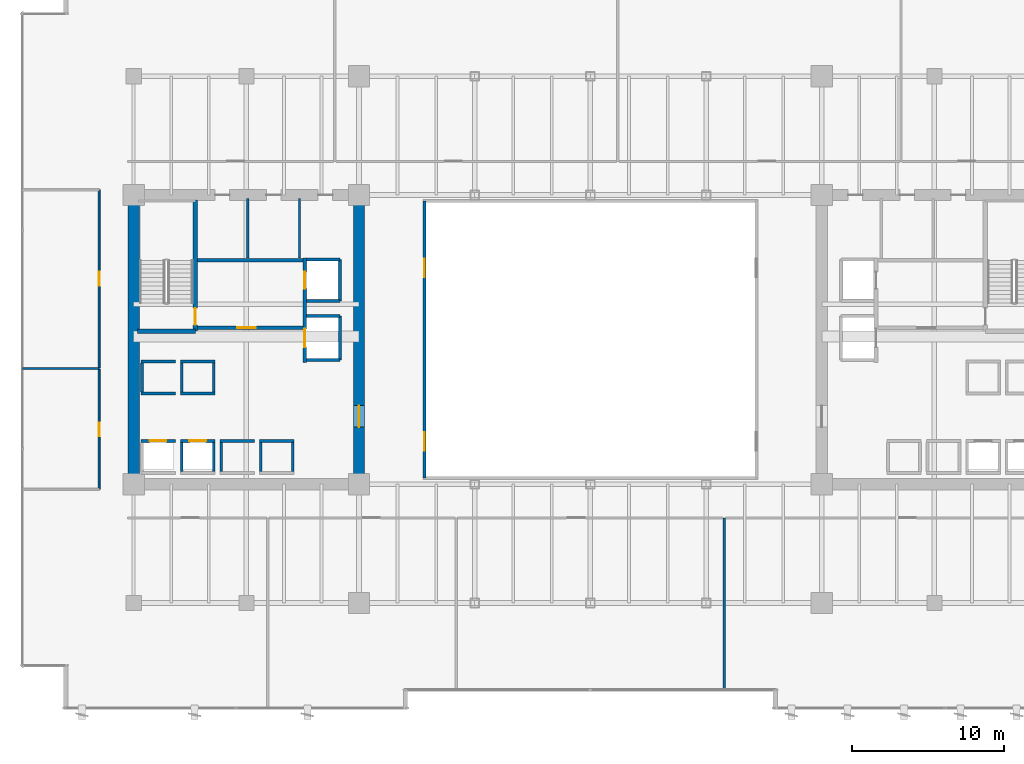
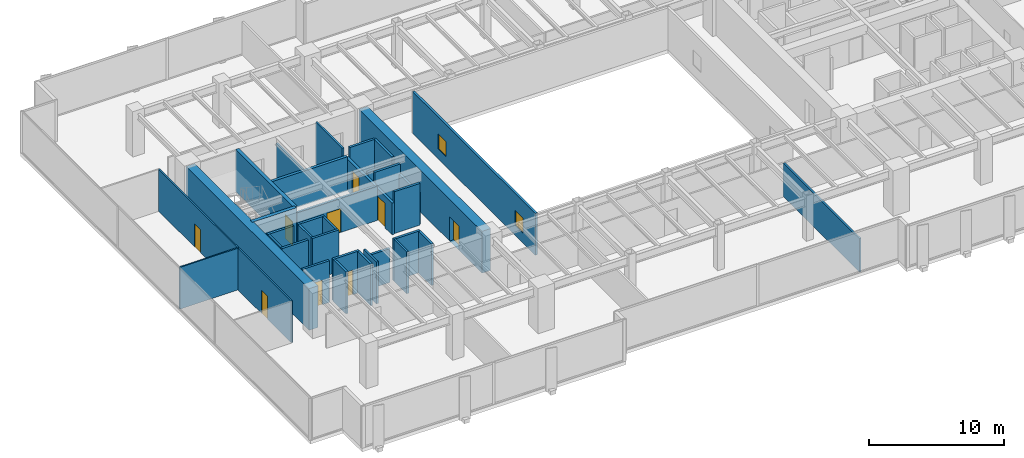
# One storey, part 29 of 36: 36 walls, 9 doors, 2 windows, 11 openings.
"""IFC4 building model written with IfcOpenShell, lengths in metres."""

from ifc_helpers import new_model, si_unit, direction, frame, frame_2d, origin, place, context, subcontext, project, spatial, rectangle, extrude, source, transform, mapped, material, layer, layer_set, type_object, type_shapes, element, fill, save


model = new_model("IFC4")

# Units and contexts
model_context = context("Model", 3, precision=1e-05, world=origin(), true_north=direction((0.0, 1.0)))
body_context = subcontext(model_context, "Body", "Model", "MODEL_VIEW")
ifc_project = project(units=[si_unit("LENGTHUNIT", "METRE"), si_unit("AREAUNIT", "SQUARE_METRE"), si_unit("VOLUMEUNIT", "CUBIC_METRE"), si_unit("PLANEANGLEUNIT", "RADIAN"), si_unit("MASSUNIT", "GRAM", prefix="KILO")], contexts=[model_context])

# Site, building, storey
site_placement = place(None, origin())
site = spatial("IfcSite", under=ifc_project, at=site_placement, CompositionType="ELEMENT")
building_placement = place(site_placement, origin())
building = spatial("IfcBuilding", under=site, at=building_placement, Name="Haelvirn Gate Laboratories", CompositionType="ELEMENT")
storey_placement = place(building_placement, frame((0.0, 0.0, 29.300048828125)))
storey = spatial("IfcBuildingStorey", under=building, at=storey_placement, Name="L07", CompositionType="ELEMENT", Elevation=29.300048828125)

# Wall
ifc_material_1 = material(Name="Double-layer acoustic gypsum laboratory partition", Category="gypsum")
ifc_layer_1 = layer(ifc_material_1, 0.159912109375, Name="IW-ACOUST-160")
ifc_layer_set_1 = layer_set([ifc_layer_1], Name="Double-layer acoustic gypsum laboratory partition")
wall_type_1 = type_object("IfcWallType", Name="IW-ACOUST-160", PredefinedType="PARTITIONING", material=ifc_layer_set_1)
wall_1_placement = place(storey_placement, frame((46.199951171875, 1.31005859375, 0.0), z_axis=(0.0, 0.0, 1.0), x_axis=(0.0, 1.0, 0.0)))
element("IfcWall", 1, at=wall_1_placement, inside=storey, type_object=wall_type_1, Name="L07 Interior Wall IW-L07-SDIV-03", PredefinedType="PARTITIONING", context=body_context, shape_type="SweptSolid", body=[
    extrude(rectangle(XDim=11.280029296875, YDim=0.159912109375, at=frame_2d((5.64013671875, 0.0))), origin(), (0.0, 0.0, 1.0), 3.014892578125),
])

# Wall, openings, windows
ifc_material_2 = material(Name="Tempered fire-rated borosilicate glass & anodised aluminium", Category="aluminium")
ifc_layer_2 = layer(ifc_material_2, 0.195068359375, Name="IW-GLAZ-200")
ifc_layer_set_2 = layer_set([ifc_layer_2], Name="Tempered fire-rated borosilicate glass & anodised aluminium")
wall_type_2 = type_object("IfcWallType", Name="IW-GLAZ-200", PredefinedType="SOLIDWALL", material=ifc_layer_set_2)
wall_2_placement = place(storey_placement, frame((26.5, 15.199951171875, 0.0), z_axis=(0.0, 0.0, 1.0), x_axis=(0.0, 1.0, 0.0)))
wall_2 = element("IfcWall", 2, at=wall_2_placement, inside=storey, type_object=wall_type_2, Name="L07 Interior Wall IW-L07-ATRIUM-W", PredefinedType="SOLIDWALL", context=body_context, shape_type="SweptSolid", body=[
    extrude(rectangle(XDim=18.199951171875, YDim=0.195068359375, at=frame_2d((9.10009765625, 0.0))), origin(), (0.0, 0.0, 1.0), 3.780029296875),
])
opening_1_placement = place(wall_2_placement, frame((1.800048828125, 0.0, 0.89990234375)))
opening_1 = element("IfcOpeningElement", 3, at=opening_1_placement, cuts=wall_2, Name="Opening W6", PredefinedType="OPENING", context=body_context, shape_type="SweptSolid", body=[
    extrude(rectangle(XDim=1.199951171875, YDim=1.35009765625, at=frame_2d((0.60009765625, 0.675048828125))), frame((0.0, 0.107421875, 0.0), z_axis=(0.0, -1.0, 0.0), x_axis=(1.0, 0.0, 0.0)), (0.0, 0.0, 1.0), 0.215087890625),
])
opening_2_placement = place(wall_2_placement, frame((13.199951171875, 0.0, 0.89990234375)))
opening_2 = element("IfcOpeningElement", 4, at=opening_2_placement, cuts=wall_2, Name="Opening W6", PredefinedType="OPENING", context=body_context, shape_type="SweptSolid", body=[
    extrude(rectangle(XDim=1.199951171875, YDim=1.35009765625, at=frame_2d((0.60009765625, 0.675048828125))), frame((0.0, 0.107421875, 0.0), z_axis=(0.0, -1.0, 0.0), x_axis=(1.0, 0.0, 0.0)), (0.0, 0.0, 1.0), 0.215087890625),
])
ifc_material_3 = material(Name="Fire-rated EI 120 borosilicate atrium vision glazing", Category="glass")
window_type = type_object("IfcWindowType", Name="WN-ATR-1200", PartitioningType="SINGLE_PANEL", PredefinedType="WINDOW", material=ifc_material_3)
shared_shape_1 = source(origin(), body_context, "Body", "SweptSolid", [
    extrude(rectangle(XDim=1.199951171875, YDim=1.35009765625, at=frame_2d((0.60009765625, 0.675048828125))), frame((0.0, 0.030029296875, 0.0), z_axis=(0.0, -1.0, 0.0), x_axis=(1.0, 0.0, 0.0)), (0.0, 0.0, 1.0), 0.06005859375),
])
type_shapes(window_type, [shared_shape_1])
window_1_placement = place(opening_1_placement, origin())
window_1 = element("IfcWindow", 5, at=window_1_placement, inside=storey, type_object=window_type, Name="L07 Atrium Observation Window 1", OverallHeight=1.35009765625, OverallWidth=1.199951171875, PartitioningType="SINGLE_PANEL", PredefinedType="WINDOW", context=body_context, shape_type="MappedRepresentation", body=[
    mapped(shared_shape_1, transform((0.0, 0.0, 0.0), scale=1.0)),
])
fill(opening_1, window_1)
window_2_placement = place(opening_2_placement, origin())
window_2 = element("IfcWindow", 6, at=window_2_placement, inside=storey, type_object=window_type, Name="L07 Atrium Observation Window 2", OverallHeight=1.35009765625, OverallWidth=1.199951171875, PartitioningType="SINGLE_PANEL", PredefinedType="WINDOW", context=body_context, shape_type="MappedRepresentation", body=[
    mapped(shared_shape_1, transform((0.0, 0.0, 0.0), scale=1.0)),
])
fill(opening_2, window_2)

# Wall, opening, door
ifc_material_4 = material(Name="Lightweight acoustic gypsum board partition", Category="gypsum")
ifc_layer_3 = layer(ifc_material_4, 0.1201171875, Name="IW-PART-120")
ifc_layer_set_3 = layer_set([ifc_layer_3], Name="Lightweight acoustic gypsum board partition")
wall_type_3 = type_object("IfcWallType", Name="IW-PART-120", PredefinedType="PARTITIONING", material=ifc_layer_set_3)
wall_3_placement = place(storey_placement, frame((5.1298828125, 14.465087890625, 0.0), z_axis=(0.0, 0.0, 1.0), x_axis=(0.0, 1.0, 0.0)))
wall_3 = element("IfcWall", 7, at=wall_3_placement, inside=storey, type_object=wall_type_3, Name="L07 Interior Wall IW-L07-WPASS-01", PredefinedType="PARTITIONING", context=body_context, shape_type="SweptSolid", body=[
    extrude(rectangle(XDim=7.875, YDim=0.1201171875, at=frame_2d((3.9375, 0.0))), origin(), (0.0, 0.0, 1.0), 3.780029296875),
])
opening_3_placement = place(wall_3_placement, frame((3.487548828125, 0.0, 0.0)))
opening_3 = element("IfcOpeningElement", 8, at=opening_3_placement, cuts=wall_3, Name="Opening D4", PredefinedType="OPENING", context=body_context, shape_type="SweptSolid", body=[
    extrude(rectangle(XDim=0.89990234375, YDim=2.10009765625, at=frame_2d((0.449951171875, 1.050048828125))), frame((0.0, 0.070068359375, 0.0), z_axis=(0.0, -1.0, 0.0), x_axis=(1.0, 0.0, 0.0)), (0.0, 0.0, 1.0), 0.14013671875),
])
ifc_material_5 = material(Name="Glazed aluminium-framed write-up door", Category="aluminium")
door_type_1 = type_object("IfcDoorType", Name="DR-OFF-900", OperationType="NOTDEFINED", PredefinedType="DOOR", material=ifc_material_5)
shared_shape_2 = source(origin(), body_context, "Body", "SweptSolid", [
    extrude(rectangle(XDim=0.89990234375, YDim=2.10009765625, at=frame_2d((0.449951171875, 1.050048828125))), frame((0.0, 0.02490234375, 0.0), z_axis=(0.0, -1.0, 0.0), x_axis=(1.0, 0.0, 0.0)), (0.0, 0.0, 1.0), 0.050048828125),
])
type_shapes(door_type_1, [shared_shape_2])
door_1_placement = place(opening_3_placement, origin())
door_1 = element("IfcDoor", 9, at=door_1_placement, inside=storey, type_object=door_type_1, Name="L07 Chemical Synthesis Laboratory Door W1", OperationType="SINGLE_SWING_LEFT", OverallHeight=2.10009765625, OverallWidth=0.89990234375, PredefinedType="DOOR", context=body_context, shape_type="MappedRepresentation", body=[
    mapped(shared_shape_2, transform((0.0, 0.0, 0.0), scale=1.0)),
])
fill(opening_3, door_1)

# Wall
wall_4_placement = place(storey_placement, frame((0.110107421875, 22.39990234375, 0.0), z_axis=(0.0, 0.0, 1.0), x_axis=(1.0, 0.0, 0.0)))
element("IfcWall", 10, at=wall_4_placement, inside=storey, type_object=wall_type_3, Name="L07 Interior Wall IW-L07-WDIV-01", PredefinedType="PARTITIONING", context=body_context, shape_type="SweptSolid", body=[
    extrude(rectangle(XDim=5.019775390625, YDim=0.1201171875, at=frame_2d((2.509765625, 0.0))), origin(), (0.0, 0.0, 1.0), 3.780029296875),
])

# Wall, opening, door
wall_5_placement = place(storey_placement, frame((5.1298828125, 22.4599609375, 0.0), z_axis=(0.0, 0.0, 1.0), x_axis=(0.0, 1.0, 0.0)))
wall_5 = element("IfcWall", 11, at=wall_5_placement, inside=storey, type_object=wall_type_3, Name="L07 Interior Wall IW-L07-WPASS-02", PredefinedType="PARTITIONING", context=body_context, shape_type="SweptSolid", body=[
    extrude(rectangle(XDim=11.675048828125, YDim=0.1201171875, at=frame_2d((5.83740234375, 0.0))), origin(), (0.0, 0.0, 1.0), 3.780029296875),
])
opening_4_placement = place(wall_5_placement, frame((5.387451171875, 0.0, 0.0)))
opening_4 = element("IfcOpeningElement", 12, at=opening_4_placement, cuts=wall_5, Name="Opening D4", PredefinedType="OPENING", context=body_context, shape_type="SweptSolid", body=[
    extrude(rectangle(XDim=0.89990234375, YDim=2.10009765625, at=frame_2d((0.449951171875, 1.050048828125))), frame((0.0, 0.070068359375, 0.0), z_axis=(0.0, -1.0, 0.0), x_axis=(1.0, 0.0, 0.0)), (0.0, 0.0, 1.0), 0.14013671875),
])
door_2_placement = place(opening_4_placement, origin())
door_2 = element("IfcDoor", 13, at=door_2_placement, inside=storey, type_object=door_type_1, Name="L07 Bioprocess Foundry Laboratory Door W2", OperationType="SINGLE_SWING_RIGHT", OverallHeight=2.10009765625, OverallWidth=0.89990234375, PredefinedType="DOOR", context=body_context, shape_type="MappedRepresentation", body=[
    mapped(shared_shape_2, transform((0.0, 0.0, 0.0), scale=1.0)),
])
fill(opening_4, door_2)

# Walls
ifc_material_6 = material(Name="Cement-board restroom plumbing chase wall", Category="gypsum")
ifc_layer_4 = layer(ifc_material_6, 0.155029296875, Name="IW-PLUMB-160")
ifc_layer_set_4 = layer_set([ifc_layer_4], Name="Cement-board restroom plumbing chase wall")
wall_type_4 = type_object("IfcWallType", Name="IW-PLUMB-160", PredefinedType="PLUMBINGWALL", material=ifc_layer_set_4)
wall_6_placement = place(storey_placement, frame((14.889892578125, 29.64990234375, 0.0), z_axis=(0.0, 0.0, 1.0), x_axis=(0.0, 1.0, 0.0)))
element("IfcWall", 14, at=wall_6_placement, inside=storey, type_object=wall_type_4, Name="L07 Interior Wall IW-L07-W-CDIV-1", PredefinedType="PLUMBINGWALL", context=body_context, shape_type="SweptSolid", body=[
    extrude(rectangle(XDim=3.93017578125, YDim=0.155029296875, at=frame_2d((1.965087890625, 0.0))), origin(), (0.0, 0.0, 1.0), 3.06494140625),
])
wall_7_placement = place(storey_placement, frame((18.2900390625, 29.64990234375, 0.0), z_axis=(0.0, 0.0, 1.0), x_axis=(0.0, 1.0, 0.0)))
element("IfcWall", 15, at=wall_7_placement, inside=storey, type_object=wall_type_4, Name="L07 Interior Wall IW-L07-W-CDIV-2", PredefinedType="PLUMBINGWALL", context=body_context, shape_type="SweptSolid", body=[
    extrude(rectangle(XDim=3.93017578125, YDim=0.155029296875, at=frame_2d((1.965087890625, 0.0))), origin(), (0.0, 0.0, 1.0), 3.780029296875),
])
ifc_material_7 = material(Name="Concrete C40/50", Category="concrete")
ifc_layer_5 = layer(ifc_material_7, 0.179931640625, Name="IW-SHAFT-180")
ifc_layer_set_5 = layer_set([ifc_layer_5], Name="Concrete C40/50")
wall_type_5 = type_object("IfcWallType", Name="IW-SHAFT-180", PredefinedType="SOLIDWALL", material=ifc_layer_set_5)
for number, where, z_axis, x_axis, name in (
    (16, (10.550048828125, 15.64990234375, 0.0), (0.0, 0.0, 1.0), (0.0, 1.0, 0.0), "L07 Interior Wall IW-L07-PL2-SD"),
    (17, (12.64990234375, 15.64990234375, 0.0), (0.0, 0.0, 1.0), (0.0, 1.0, 0.0), "L07 Interior Wall IW-L07-PL2-SDE"),
    (18, (13.14990234375, 15.64990234375, 0.0), (0.0, 0.0, 1.0), (0.0, 1.0, 0.0), "L07 Interior Wall IW-L07-PL5-SD"),
    (19, (15.75, 15.64990234375, 0.0), (0.0, 0.0, 1.0), (0.0, 1.0, 0.0), "L07 Interior Wall IW-L07-PL6-SD"),
    (20, (17.85009765625, 15.64990234375, 0.0), (0.0, 0.0, 1.0), (0.0, 1.0, 0.0), "L07 Interior Wall IW-L07-PL6-SDE"),
):
    element("IfcWall", number, at=place(storey_placement, frame(where, z_axis=z_axis, x_axis=x_axis)), inside=storey, type_object=wall_type_5, Name=name, PredefinedType="SOLIDWALL", context=body_context, shape_type="SweptSolid", body=[
        extrude(rectangle(XDim=1.900146484375, YDim=0.179931640625, at=frame_2d((0.9501953125, 0.0))), origin(), (0.0, 0.0, 1.0), 3.780029296875),
    ])
for number, where, z_axis, x_axis, name in (
    (21, (7.949951171875, 20.85009765625, 0.0), (0.0, 0.0, 1.0), (0.0, 1.0, 0.0), "L07 Interior Wall IW-L07-PL9-SD"),
    (22, (10.550048828125, 20.85009765625, 0.0), (0.0, 0.0, 1.0), (0.0, 1.0, 0.0), "L07 Interior Wall IW-L07-PL10-SD"),
    (23, (12.64990234375, 20.85009765625, 0.0), (0.0, 0.0, 1.0), (0.0, 1.0, 0.0), "L07 Interior Wall IW-L07-PL10-SDE"),
):
    element("IfcWall", number, at=place(storey_placement, frame(where, z_axis=z_axis, x_axis=x_axis)), inside=storey, type_object=wall_type_5, Name=name, PredefinedType="SOLIDWALL", context=body_context, shape_type="SweptSolid", body=[
        extrude(rectangle(XDim=1.89990234375, YDim=0.179931640625, at=frame_2d((0.949951171875, 0.0))), origin(), (0.0, 0.0, 1.0), 3.780029296875),
    ])

# Wall, opening, door
ifc_layer_6 = layer(ifc_material_7, 0.199951171875, Name="IW-SHAFT-200")
ifc_layer_set_6 = layer_set([ifc_layer_6], Name="Concrete C40/50")
wall_type_6 = type_object("IfcWallType", Name="IW-SHAFT-200", PredefinedType="SOLIDWALL", material=ifc_layer_set_6)
wall_8_placement = place(storey_placement, frame((7.8701171875, 17.64990234375, 0.0), z_axis=(0.0, 0.0, 1.0), x_axis=(1.0, 0.0, 0.0)))
wall_8 = element("IfcWall", 24, at=wall_8_placement, inside=storey, type_object=wall_type_6, Name="L07 Interior Wall IW-L07-PL1-FR", PredefinedType="SOLIDWALL", context=body_context, shape_type="SweptSolid", body=[
    extrude(rectangle(XDim=2.259765625, YDim=0.199951171875, at=frame_2d((1.1298828125, 0.0))), origin(), (0.0, 0.0, 1.0), 3.780029296875),
])
opening_5_placement = place(wall_8_placement, frame((0.580078125, 0.0, 0.0)))
opening_5 = element("IfcOpeningElement", 25, at=opening_5_placement, cuts=wall_8, Name="Opening LD2", PredefinedType="OPENING", context=body_context, shape_type="SweptSolid", body=[
    extrude(rectangle(XDim=1.10009765625, YDim=2.219970703125, at=frame_2d((0.550048828125, 1.10986328125))), frame((0.0, 0.10986328125, 0.0), z_axis=(0.0, -1.0, 0.0), x_axis=(1.0, 0.0, 0.0)), (0.0, 0.0, 1.0), 0.219970703125),
])
ifc_material_8 = material(Name="Bronze stainless 316L sliding lift landing door")
door_type_2 = type_object("IfcDoorType", Name="DR-LD-1100", OperationType="NOTDEFINED", PredefinedType="USERDEFINED", material=ifc_material_8)
shared_shape_3 = source(origin(), body_context, "Body", "SweptSolid", [
    extrude(rectangle(XDim=1.10009765625, YDim=2.219970703125, at=frame_2d((0.550048828125, 1.10986328125))), frame((0.0, 0.02490234375, 0.0), z_axis=(0.0, -1.0, 0.0), x_axis=(1.0, 0.0, 0.0)), (0.0, 0.0, 1.0), 0.050048828125),
])
type_shapes(door_type_2, [shared_shape_3])
door_3_placement = place(opening_5_placement, origin())
door_3 = element("IfcDoor", 26, at=door_3_placement, inside=storey, type_object=door_type_2, Name="L07 Passenger Lift PL1 Landing Door", ObjectType="LANDING_DOOR", OperationType="SLIDING_TO_LEFT", OverallHeight=2.219970703125, OverallWidth=1.10009765625, PredefinedType="USERDEFINED", context=body_context, shape_type="MappedRepresentation", body=[
    mapped(shared_shape_3, transform((0.0, 0.0, 0.0), scale=1.0)),
])
fill(opening_5, door_3)

wall_9_placement = place(storey_placement, frame((10.469970703125, 17.64990234375, 0.0), z_axis=(0.0, 0.0, 1.0), x_axis=(1.0, 0.0, 0.0)))
wall_9 = element("IfcWall", 27, at=wall_9_placement, inside=storey, type_object=wall_type_6, Name="L07 Interior Wall IW-L07-PL2-FR", PredefinedType="SOLIDWALL", context=body_context, shape_type="SweptSolid", body=[
    extrude(rectangle(XDim=2.260009765625, YDim=0.199951171875, at=frame_2d((1.1298828125, 0.0))), origin(), (0.0, 0.0, 1.0), 3.780029296875),
])
opening_6_placement = place(wall_9_placement, frame((0.580078125, 0.0, 0.0)))
opening_6 = element("IfcOpeningElement", 28, at=opening_6_placement, cuts=wall_9, Name="Opening LD2", PredefinedType="OPENING", context=body_context, shape_type="SweptSolid", body=[
    extrude(rectangle(XDim=1.10009765625, YDim=2.219970703125, at=frame_2d((0.550048828125, 1.10986328125))), frame((0.0, 0.10986328125, 0.0), z_axis=(0.0, -1.0, 0.0), x_axis=(1.0, 0.0, 0.0)), (0.0, 0.0, 1.0), 0.219970703125),
])
door_4_placement = place(opening_6_placement, origin())
door_4 = element("IfcDoor", 29, at=door_4_placement, inside=storey, type_object=door_type_2, Name="L07 Passenger Lift PL2 Landing Door", ObjectType="LANDING_DOOR", OperationType="SLIDING_TO_RIGHT", OverallHeight=2.219970703125, OverallWidth=1.10009765625, PredefinedType="USERDEFINED", context=body_context, shape_type="MappedRepresentation", body=[
    mapped(shared_shape_3, transform((0.0, 0.0, 0.0), scale=1.0)),
])
fill(opening_6, door_4)

# Walls
wall_10_placement = place(storey_placement, frame((13.070068359375, 17.64990234375, 0.0), z_axis=(0.0, 0.0, 1.0), x_axis=(1.0, 0.0, 0.0)))
element("IfcWall", 30, at=wall_10_placement, inside=storey, type_object=wall_type_6, Name="L07 Interior Wall IW-L07-PL5-FR", PredefinedType="SOLIDWALL", context=body_context, shape_type="SweptSolid", body=[
    extrude(rectangle(XDim=2.260009765625, YDim=0.199951171875, at=frame_2d((1.1298828125, 0.0))), origin(), (0.0, 0.0, 1.0), 3.06494140625),
])
wall_11_placement = place(storey_placement, frame((15.669921875, 17.64990234375, 0.0), z_axis=(0.0, 0.0, 1.0), x_axis=(1.0, 0.0, 0.0)))
element("IfcWall", 31, at=wall_11_placement, inside=storey, type_object=wall_type_6, Name="L07 Interior Wall IW-L07-PL6-FR", PredefinedType="SOLIDWALL", context=body_context, shape_type="SweptSolid", body=[
    extrude(rectangle(XDim=2.260009765625, YDim=0.199951171875, at=frame_2d((1.1298828125, 0.0))), origin(), (0.0, 0.0, 1.0), 3.780029296875),
])
for number, where, z_axis, x_axis, name in (
    (32, (7.8701171875, 20.75, 0.0), (0.0, 0.0, 1.0), (1.0, 0.0, 0.0), "L07 Interior Wall IW-L07-PL9-FR"),
    (33, (7.8701171875, 22.85009765625, 0.0), (0.0, 0.0, 1.0), (1.0, 0.0, 0.0), "L07 Interior Wall IW-L07-PL9-BK"),
):
    element("IfcWall", number, at=place(storey_placement, frame(where, z_axis=z_axis, x_axis=x_axis)), inside=storey, type_object=wall_type_6, Name=name, PredefinedType="SOLIDWALL", context=body_context, shape_type="SweptSolid", body=[
        extrude(rectangle(XDim=2.259765625, YDim=0.199951171875, at=frame_2d((1.1298828125, 0.0))), origin(), (0.0, 0.0, 1.0), 3.780029296875),
    ])
for number, where, z_axis, x_axis, name in (
    (34, (10.469970703125, 20.75, 0.0), (0.0, 0.0, 1.0), (1.0, 0.0, 0.0), "L07 Interior Wall IW-L07-PL10-FR"),
    (35, (10.469970703125, 22.85009765625, 0.0), (0.0, 0.0, 1.0), (1.0, 0.0, 0.0), "L07 Interior Wall IW-L07-PL10-BK"),
):
    element("IfcWall", number, at=place(storey_placement, frame(where, z_axis=z_axis, x_axis=x_axis)), inside=storey, type_object=wall_type_6, Name=name, PredefinedType="SOLIDWALL", context=body_context, shape_type="SweptSolid", body=[
        extrude(rectangle(XDim=2.260009765625, YDim=0.199951171875, at=frame_2d((1.1298828125, 0.0))), origin(), (0.0, 0.0, 1.0), 3.780029296875),
    ])
wall_12_placement = place(storey_placement, frame((20.949951171875, 26.85009765625, 0.0), z_axis=(0.0, 0.0, 1.0), x_axis=(0.0, 1.0, 0.0)))
element("IfcWall", 36, at=wall_12_placement, inside=storey, type_object=wall_type_6, Name="L07 Interior Wall IW-L07-FL1-BK", PredefinedType="SOLIDWALL", context=body_context, shape_type="SweptSolid", body=[
    extrude(rectangle(XDim=2.699951171875, YDim=0.199951171875, at=frame_2d((1.35009765625, 0.0))), origin(), (0.0, 0.0, 1.0), 3.780029296875),
])
wall_13_placement = place(storey_placement, frame((18.760009765625, 29.550048828125, 0.0), z_axis=(0.0, 0.0, 1.0), x_axis=(1.0, 0.0, 0.0)))
element("IfcWall", 37, at=wall_13_placement, inside=storey, type_object=wall_type_6, Name="L07 Interior Wall IW-L07-FL1-N", PredefinedType="SOLIDWALL", context=body_context, shape_type="SweptSolid", body=[
    extrude(rectangle(XDim=2.18994140625, YDim=0.199951171875, at=frame_2d((1.094970703125, 0.0))), origin(), (0.0, 0.0, 1.0), 3.780029296875),
])
wall_14_placement = place(storey_placement, frame((18.760009765625, 26.85009765625, 0.0), z_axis=(0.0, 0.0, 1.0), x_axis=(1.0, 0.0, 0.0)))
element("IfcWall", 38, at=wall_14_placement, inside=storey, type_object=wall_type_6, Name="L07 Interior Wall IW-L07-FL1-S", PredefinedType="SOLIDWALL", context=body_context, shape_type="SweptSolid", body=[
    extrude(rectangle(XDim=2.18994140625, YDim=0.199951171875, at=frame_2d((1.094970703125, 0.0))), origin(), (0.0, 0.0, 1.0), 3.177001953125),
])
wall_15_placement = place(storey_placement, frame((20.949951171875, 22.949951171875, 0.0), z_axis=(0.0, 0.0, 1.0), x_axis=(0.0, 1.0, 0.0)))
element("IfcWall", 39, at=wall_15_placement, inside=storey, type_object=wall_type_6, Name="L07 Interior Wall IW-L07-SL1-BK", PredefinedType="SOLIDWALL", context=body_context, shape_type="SweptSolid", body=[
    extrude(rectangle(XDim=2.900146484375, YDim=0.199951171875, at=frame_2d((1.4501953125, 0.0))), origin(), (0.0, 0.0, 1.0), 2.864990234375),
])
for number, where, z_axis, x_axis, name in (
    (40, (18.760009765625, 25.85009765625, 0.0), (0.0, 0.0, 1.0), (1.0, 0.0, 0.0), "L07 Interior Wall IW-L07-SL1-N"),
    (41, (18.760009765625, 22.949951171875, 0.0), (0.0, 0.0, 1.0), (1.0, 0.0, 0.0), "L07 Interior Wall IW-L07-SL1-S"),
):
    element("IfcWall", number, at=place(storey_placement, frame(where, z_axis=z_axis, x_axis=x_axis)), inside=storey, type_object=wall_type_6, Name=name, PredefinedType="SOLIDWALL", context=body_context, shape_type="SweptSolid", body=[
        extrude(rectangle(XDim=2.18994140625, YDim=0.199951171875, at=frame_2d((1.094970703125, 0.0))), origin(), (0.0, 0.0, 1.0), 3.780029296875),
    ])

# Wall, opening, door
ifc_layer_7 = layer(ifc_material_7, 0.239990234375, Name="IW-SHAFT-240")
ifc_layer_set_7 = layer_set([ifc_layer_7], Name="Concrete C40/50")
wall_type_7 = type_object("IfcWallType", Name="IW-SHAFT-240", PredefinedType="SOLIDWALL", material=ifc_layer_set_7)
wall_16_placement = place(storey_placement, frame((11.60009765625, 25.080078125, 0.0), z_axis=(0.0, 0.0, 1.0), x_axis=(1.0, 0.0, 0.0)))
wall_16 = element("IfcWall", 42, at=wall_16_placement, inside=storey, type_object=wall_type_7, Name="L07 Interior Wall IW-L07-W-FF-S", PredefinedType="SOLIDWALL", context=body_context, shape_type="SweptSolid", body=[
    extrude(rectangle(XDim=6.919921875, YDim=0.239990234375, at=frame_2d((3.4599609375, 0.0))), origin(), (0.0, 0.0, 1.0), 3.06494140625),
])
opening_7_placement = place(wall_16_placement, frame((2.60009765625, 0.0, 0.0)))
opening_7 = element("IfcOpeningElement", 43, at=opening_7_placement, cuts=wall_16, Name="Opening FD2", PredefinedType="OPENING", context=body_context, shape_type="SweptSolid", body=[
    extrude(rectangle(XDim=1.199951171875, YDim=2.159912109375, at=frame_2d((0.60009765625, 1.080078125))), frame((0.0, 0.1298828125, 0.0), z_axis=(0.0, -1.0, 0.0), x_axis=(1.0, 0.0, 0.0)), (0.0, 0.0, 1.0), 0.260009765625),
])
ifc_material_9 = material(Name="Fire-rated steel SM355 compartment door", Category="steel")
door_type_3 = type_object("IfcDoorType", Name="DR-FD-1200", OperationType="NOTDEFINED", PredefinedType="DOOR", material=ifc_material_9)
shared_shape_4 = source(origin(), body_context, "Body", "SweptSolid", [
    extrude(rectangle(XDim=1.199951171875, YDim=2.159912109375, at=frame_2d((0.60009765625, 1.080078125))), frame((0.0, 0.02490234375, 0.0), z_axis=(0.0, -1.0, 0.0), x_axis=(1.0, 0.0, 0.0)), (0.0, 0.0, 1.0), 0.050048828125),
])
type_shapes(door_type_3, [shared_shape_4])
door_5_placement = place(opening_7_placement, origin())
door_5 = element("IfcDoor", 44, at=door_5_placement, inside=storey, type_object=door_type_3, Name="L07 West Firefighting Lobby Door", OperationType="SINGLE_SWING_RIGHT", OverallHeight=2.159912109375, OverallWidth=1.199951171875, PredefinedType="DOOR", context=body_context, shape_type="MappedRepresentation", body=[
    mapped(shared_shape_4, transform((0.0, 0.0, 0.0), scale=1.0)),
])
fill(opening_7, door_5)

# Wall
wall_17_placement = place(storey_placement, frame((11.60009765625, 29.52001953125, 0.0), z_axis=(0.0, 0.0, 1.0), x_axis=(1.0, 0.0, 0.0)))
element("IfcWall", 45, at=wall_17_placement, inside=storey, type_object=wall_type_7, Name="L07 Interior Wall IW-L07-W-FF-N", PredefinedType="SOLIDWALL", context=body_context, shape_type="SweptSolid", body=[
    extrude(rectangle(XDim=6.919921875, YDim=0.239990234375, at=frame_2d((3.4599609375, 0.0))), origin(), (0.0, 0.0, 1.0), 3.06494140625),
])

# Wall, openings, doors
wall_18_placement = place(storey_placement, frame((18.639892578125, 22.800048828125, 0.0), z_axis=(0.0, 0.0, 1.0), x_axis=(0.0, 1.0, 0.0)))
wall_18 = element("IfcWall", 46, at=wall_18_placement, inside=storey, type_object=wall_type_7, Name="L07 Interior Wall IW-L07-W-FF-E", PredefinedType="SOLIDWALL", context=body_context, shape_type="SweptSolid", body=[
    extrude(rectangle(XDim=6.849853515625, YDim=0.239990234375, at=frame_2d((3.4248046875, 0.0))), origin(), (0.0, 0.0, 1.0), 2.864990234375),
])
opening_8_placement = place(wall_18_placement, frame((4.85009765625, 0.0, 0.0)))
opening_8 = element("IfcOpeningElement", 47, at=opening_8_placement, cuts=wall_18, Name="Opening LD2", PredefinedType="OPENING", context=body_context, shape_type="SweptSolid", body=[
    extrude(rectangle(XDim=1.10009765625, YDim=2.219970703125, at=frame_2d((0.550048828125, 1.10986328125))), frame((0.0, 0.1298828125, 0.0), z_axis=(0.0, -1.0, 0.0), x_axis=(1.0, 0.0, 0.0)), (0.0, 0.0, 1.0), 0.260009765625),
])
opening_9_placement = place(wall_18_placement, frame((1.0, 0.0, 0.0)))
opening_9 = element("IfcOpeningElement", 48, at=opening_9_placement, cuts=wall_18, Name="Opening LD1", PredefinedType="OPENING", context=body_context, shape_type="SweptSolid", body=[
    extrude(rectangle(XDim=1.199951171875, YDim=2.219970703125, at=frame_2d((0.60009765625, 1.10986328125))), frame((0.0, 0.1298828125, 0.0), z_axis=(0.0, -1.0, 0.0), x_axis=(1.0, 0.0, 0.0)), (0.0, 0.0, 1.0), 0.260009765625),
])
door_6_placement = place(opening_8_placement, origin())
door_6 = element("IfcDoor", 49, at=door_6_placement, inside=storey, type_object=door_type_2, Name="L07 Firefighting Lift FL1 Landing Door", ObjectType="LANDING_DOOR", OperationType="SLIDING_TO_LEFT", OverallHeight=2.219970703125, OverallWidth=1.10009765625, PredefinedType="USERDEFINED", context=body_context, shape_type="MappedRepresentation", body=[
    mapped(shared_shape_3, transform((0.0, 0.0, 0.0), scale=1.0)),
])
fill(opening_8, door_6)
ifc_material_10 = material(Name="Stainless steel 316L sliding goods landing door", Category="steel")
door_type_4 = type_object("IfcDoorType", Name="DR-LD-1200", OperationType="NOTDEFINED", PredefinedType="USERDEFINED", material=ifc_material_10)
shared_shape_5 = source(origin(), body_context, "Body", "SweptSolid", [
    extrude(rectangle(XDim=1.199951171875, YDim=2.219970703125, at=frame_2d((0.60009765625, 1.10986328125))), frame((0.0, 0.02490234375, 0.0), z_axis=(0.0, -1.0, 0.0), x_axis=(1.0, 0.0, 0.0)), (0.0, 0.0, 1.0), 0.050048828125),
])
type_shapes(door_type_4, [shared_shape_5])
door_7_placement = place(opening_9_placement, origin())
door_7 = element("IfcDoor", 50, at=door_7_placement, inside=storey, type_object=door_type_4, Name="L07 Service Lift SL1 Landing Door", ObjectType="LANDING_DOOR", OperationType="SLIDING_TO_RIGHT", OverallHeight=2.219970703125, OverallWidth=1.199951171875, PredefinedType="USERDEFINED", context=body_context, shape_type="MappedRepresentation", body=[
    mapped(shared_shape_5, transform((0.0, 0.0, 0.0), scale=1.0)),
])
fill(opening_9, door_7)

# Wall
ifc_material_11 = material(Name="Concrete C70/85", Category="concrete")
ifc_layer_8 = layer(ifc_material_11, 0.75, Name="SW-CORE-750")
ifc_layer_set_8 = layer_set([ifc_layer_8], Name="Concrete C70/85")
wall_type_8 = type_object("IfcWallType", Name="SW-CORE-750", PredefinedType="SHEAR", material=ifc_layer_set_8)
wall_19_placement = place(storey_placement, frame((7.39990234375, 15.175048828125, 0.0), z_axis=(0.0, 0.0, 1.0), x_axis=(0.0, 1.0, 0.0)))
element("IfcWall", 51, at=wall_19_placement, inside=storey, type_object=wall_type_8, Name="L07 W Core Shear Wall W", PredefinedType="SHEAR", context=body_context, shape_type="SweptSolid", body=[
    extrude(rectangle(XDim=18.25, YDim=0.75, at=frame_2d((9.125, 0.0))), origin(), (0.0, 0.0, 1.0), 3.780029296875),
])

# Wall, opening, door
wall_20_placement = place(storey_placement, frame((22.199951171875, 15.175048828125, 0.0), z_axis=(0.0, 0.0, 1.0), x_axis=(0.0, 1.0, 0.0)))
wall_20 = element("IfcWall", 52, at=wall_20_placement, inside=storey, type_object=wall_type_8, Name="L07 W Core Shear Wall E", PredefinedType="SHEAR", context=body_context, shape_type="SweptSolid", body=[
    extrude(rectangle(XDim=18.25, YDim=0.75, at=frame_2d((9.125, 0.0))), origin(), (0.0, 0.0, 1.0), 3.780029296875),
])
opening_10_placement = place(wall_20_placement, frame((3.375, 0.0, 0.0)))
opening_10 = element("IfcOpeningElement", 53, at=opening_10_placement, cuts=wall_20, Name="Opening FD1", PredefinedType="OPENING", context=body_context, shape_type="SweptSolid", body=[
    extrude(rectangle(XDim=1.419921875, YDim=2.199951171875, at=frame_2d((0.7099609375, 1.10009765625))), frame((0.0, 0.385009765625, 0.0), z_axis=(0.0, -1.0, 0.0), x_axis=(1.0, 0.0, 0.0)), (0.0, 0.0, 1.0), 0.77001953125),
])
ifc_material_12 = material(Name="Fire-rated double steel SM355 lobby door", Category="steel")
door_type_5 = type_object("IfcDoorType", Name="DR-FD-1400", OperationType="NOTDEFINED", PredefinedType="DOOR", material=ifc_material_12)
shared_shape_6 = source(origin(), body_context, "Body", "SweptSolid", [
    extrude(rectangle(XDim=1.419921875, YDim=2.199951171875, at=frame_2d((0.7099609375, 1.10009765625))), frame((0.0, 0.02490234375, 0.0), z_axis=(0.0, -1.0, 0.0), x_axis=(1.0, 0.0, 0.0)), (0.0, 0.0, 1.0), 0.050048828125),
])
type_shapes(door_type_5, [shared_shape_6])
door_8_placement = place(opening_10_placement, origin())
door_8 = element("IfcDoor", 54, at=door_8_placement, inside=storey, type_object=door_type_5, Name="L07 West Core Lift Lobby Fire Door", OperationType="DOUBLE_DOOR_SINGLE_SWING", OverallHeight=2.199951171875, OverallWidth=1.419921875, PredefinedType="DOOR", context=body_context, shape_type="MappedRepresentation", body=[
    mapped(shared_shape_6, transform((0.0, 0.0, 0.0), scale=1.0)),
])
fill(opening_10, door_8)

ifc_material_13 = material(Name="Concrete C50/60", Category="concrete")
ifc_layer_9 = layer(ifc_material_13, 0.300048828125, Name="SW-STAIR-300")
ifc_layer_set_9 = layer_set([ifc_layer_9], Name="Concrete C50/60")
wall_type_9 = type_object("IfcWallType", Name="SW-STAIR-300", PredefinedType="SHEAR", material=ifc_layer_set_9)
wall_21_placement = place(storey_placement, frame((11.449951171875, 24.85009765625, 0.0), z_axis=(0.0, 0.0, 1.0), x_axis=(0.0, 1.0, 0.0)))
wall_21 = element("IfcWall", 55, at=wall_21_placement, inside=storey, type_object=wall_type_9, Name="L07 W Core Stair Shaft Structural Wall IN", PredefinedType="SHEAR", context=body_context, shape_type="SweptSolid", body=[
    extrude(rectangle(XDim=8.6298828125, YDim=0.300048828125, at=frame_2d((4.31494140625, 0.0))), origin(), (0.0, 0.0, 1.0), 3.780029296875),
])
opening_11_placement = place(wall_21_placement, frame((0.419921875, 0.0, 0.0)))
opening_11 = element("IfcOpeningElement", 56, at=opening_11_placement, cuts=wall_21, Name="Opening FD3", PredefinedType="OPENING", context=body_context, shape_type="SweptSolid", body=[
    extrude(rectangle(XDim=1.10009765625, YDim=2.14990234375, at=frame_2d((0.550048828125, 1.074951171875))), frame((0.0, 0.16015625, 0.0), z_axis=(0.0, -1.0, 0.0), x_axis=(1.0, 0.0, 0.0)), (0.0, 0.0, 1.0), 0.320068359375),
])
ifc_material_14 = material(Name="Fire-rated steel SM355 escape stair door", Category="steel")
door_type_6 = type_object("IfcDoorType", Name="DR-FD-1100", OperationType="NOTDEFINED", PredefinedType="DOOR", material=ifc_material_14)
shared_shape_7 = source(origin(), body_context, "Body", "SweptSolid", [
    extrude(rectangle(XDim=1.10009765625, YDim=2.14990234375, at=frame_2d((0.550048828125, 1.074951171875))), frame((0.0, 0.02490234375, 0.0), z_axis=(0.0, -1.0, 0.0), x_axis=(1.0, 0.0, 0.0)), (0.0, 0.0, 1.0), 0.050048828125),
])
type_shapes(door_type_6, [shared_shape_7])
door_9_placement = place(opening_11_placement, origin())
door_9 = element("IfcDoor", 57, at=door_9_placement, inside=storey, type_object=door_type_6, Name="L07 Escape Stair ST1 Fire Door", OperationType="SINGLE_SWING_LEFT", OverallHeight=2.14990234375, OverallWidth=1.10009765625, PredefinedType="DOOR", context=body_context, shape_type="MappedRepresentation", body=[
    mapped(shared_shape_7, transform((0.0, 0.0, 0.0), scale=1.0)),
])
fill(opening_11, door_9)

# Wall
wall_22_placement = place(storey_placement, frame((7.64990234375, 24.85009765625, 0.0), z_axis=(0.0, 0.0, 1.0), x_axis=(1.0, 0.0, 0.0)))
element("IfcWall", 58, at=wall_22_placement, inside=storey, type_object=wall_type_9, Name="L07 W Core Stair Shaft Structural Wall S", PredefinedType="SHEAR", context=body_context, shape_type="SweptSolid", body=[
    extrude(rectangle(XDim=3.800048828125, YDim=0.300048828125, at=frame_2d((1.89990234375, 0.0))), origin(), (0.0, 0.0, 1.0), 3.780029296875),
])

save(model, "model.ifc")
